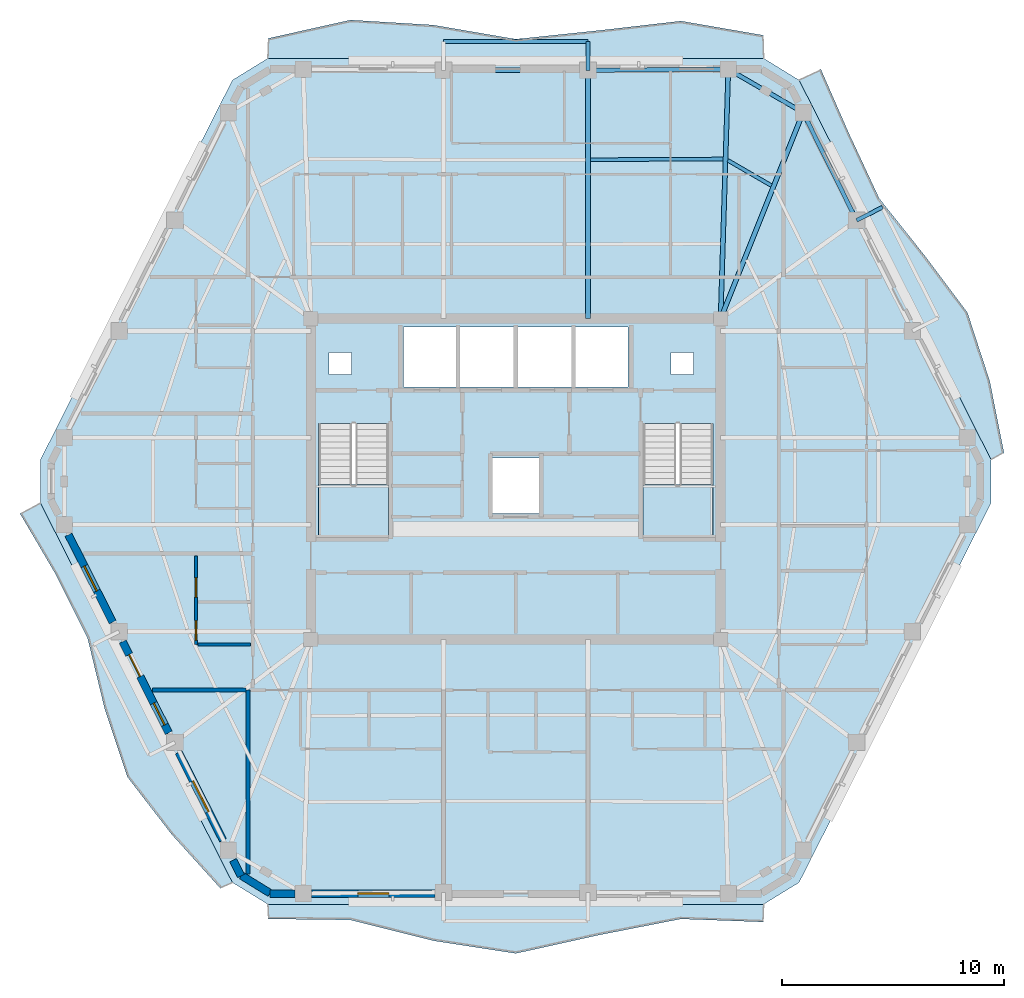
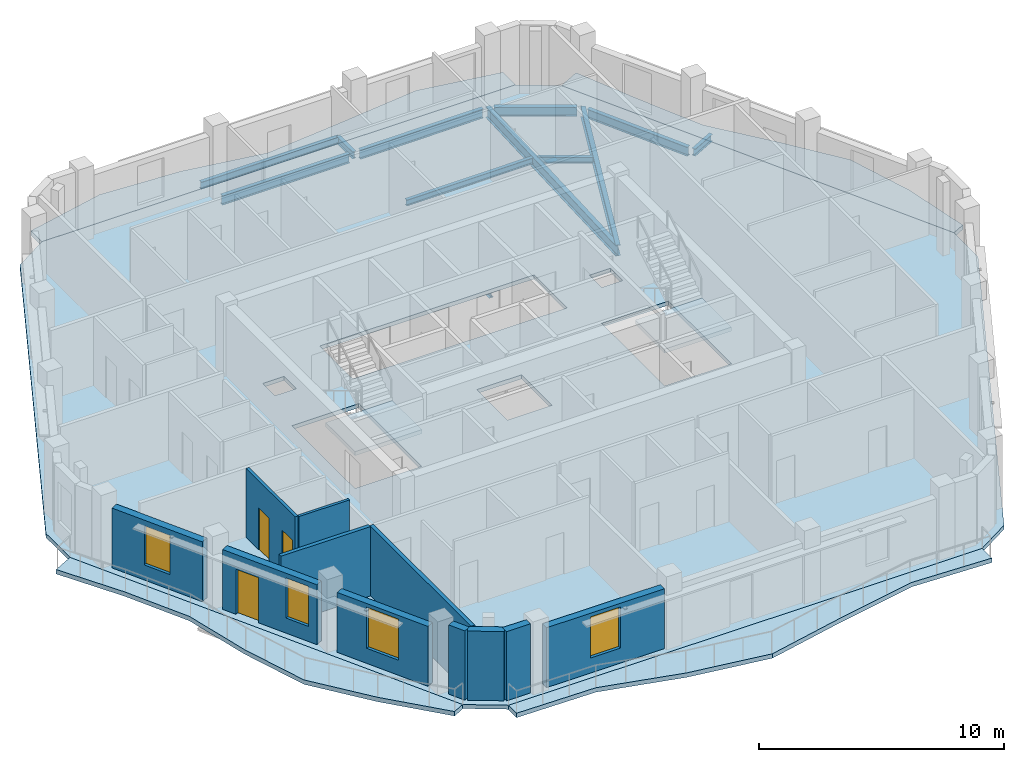
# One storey, part 3 of 11: 12 beams, 11 walls, 7 slabs, 4 windows, 3 doors, 7 openings, 2 elements without a shape of their own.
"""IFC4 building model written with IfcOpenShell, lengths in metres."""

from ifc_helpers import new_model, si_unit, direction, frame, frame_2d, origin, origin_2d, place, context, subcontext, project, spatial, polyline, rectangle, i_section, outline, extrude, material, layer, layer_set, material_profile, profile_set, type_object, element, fill, aggregate, save


model = new_model("IFC4")

# Units and contexts
model_context = context("Model", 3, precision=1e-05, world=origin(), true_north=direction((0.0, 1.0)))
body_context = subcontext(model_context, "Body", "Model", "MODEL_VIEW")
ifc_project = project(units=[si_unit("LENGTHUNIT", "METRE"), si_unit("AREAUNIT", "SQUARE_METRE"), si_unit("VOLUMEUNIT", "CUBIC_METRE"), si_unit("PLANEANGLEUNIT", "RADIAN"), si_unit("MASSUNIT", "GRAM", prefix="KILO")], contexts=[model_context])

# Site, building, storey
site_placement = place(None, origin())
site = spatial("IfcSite", under=ifc_project, at=site_placement, CompositionType="ELEMENT")
building_placement = place(site_placement, origin())
building = spatial("IfcBuilding", under=site, at=building_placement, Name="Cinnabar Lancet Tower", CompositionType="ELEMENT")
storey_placement = place(building_placement, frame((0.0, 0.0, 245.25)))
storey = spatial("IfcBuildingStorey", under=building, at=storey_placement, Name="L65", CompositionType="ELEMENT", Elevation=245.25)

# Beams
ifc_material_1 = material(Name="Structural steel S355", Category="steel")
ifc_material_profile_1 = material_profile(ifc_material_1, i_section(OverallWidth=0.1650390625, OverallDepth=0.303466796875, WebThickness=0.006103515625, FlangeThickness=0.01025390625, FilletRadius=0.0087890625, at=origin_2d()), Name="UKB 305x165x40")
ifc_profile_set_1 = profile_set([ifc_material_profile_1], Name="Structural steel S355")
beam_type_1 = type_object("IfcBeamType", Name="STR-BM-JST-305", PredefinedType="JOIST", material=ifc_profile_set_1)
beam_1_placement = place(storey_placement, frame((43.912109375, 39.1201171875, -0.35205078125), z_axis=(-0.865426285481, 0.501036270542, 0.0), x_axis=(-0.501036270542, -0.865426285481, 0.0)))
element("IfcBeam", 1, at=beam_1_placement, inside=storey, type_object=beam_type_1, Name="L65 Secondary Floor Joist 29", PredefinedType="JOIST", context=body_context, shape_type="SweptSolid", body=[
    extrude(i_section(OverallWidth=0.1650390625, OverallDepth=0.303466796875, WebThickness=0.006103515625, FlangeThickness=0.01025390625, FilletRadius=0.0087890625, at=origin_2d()), origin(), (0.0, 0.0, 1.0), 2.267333984375),
])
beam_2_placement = place(storey_placement, frame((41.741943359375, 40.31494140625, -0.35205078125), z_axis=(-0.999985712428, -0.005345553266, 0.0), x_axis=(0.005345553266, -0.999985712428, 0.0)))
element("IfcBeam", 2, at=beam_2_placement, inside=storey, type_object=beam_type_1, Name="L65 Secondary Floor Joist 30", PredefinedType="JOIST", context=body_context, shape_type="SweptSolid", body=[
    extrude(i_section(OverallWidth=0.1650390625, OverallDepth=0.303466796875, WebThickness=0.006103515625, FlangeThickness=0.01025390625, FilletRadius=0.0087890625, at=origin_2d()), origin(), (0.0, 0.0, 1.0), 5.98291015625),
])
ifc_material_2 = material(Name="Structural steel S355", Category="steel")
ifc_material_profile_2 = material_profile(ifc_material_2, i_section(OverallWidth=0.1904296875, OverallDepth=0.45703125, WebThickness=0.009033203125, FlangeThickness=0.014404296875, FilletRadius=0.01025390625, at=origin_2d()), Name="UKB 457x191x74")
ifc_profile_set_2 = profile_set([ifc_material_profile_2], Name="Structural steel S355")
beam_type_2 = type_object("IfcBeamType", Name="STR-BM-SPN-457", PredefinedType="SPANDREL", material=ifc_profile_set_2)
beam_3_placement = place(storey_placement, frame((47.637939453125, 37.778076171875, -0.427978515625), z_axis=(-0.444372599207, 0.895842058107, 0.0), x_axis=(-0.895842058107, -0.444372599207, 0.0)))
element("IfcBeam", 3, at=beam_3_placement, inside=storey, type_object=beam_type_2, Name="L65 Perimeter Spandrel 11", PredefinedType="SPANDREL", context=body_context, shape_type="SweptSolid", body=[
    extrude(i_section(OverallWidth=0.1904296875, OverallDepth=0.45703125, WebThickness=0.009033203125, FlangeThickness=0.014404296875, FilletRadius=0.01025390625, at=origin_2d()), origin(), (0.0, 0.0, 1.0), 4.91943359375),
])
beam_4_placement = place(storey_placement, frame((45.125, 42.533935546875, -0.427978515625), z_axis=(-0.865199693264, 0.501427453153, 0.0), x_axis=(-0.501427453153, -0.865199693264, 0.0)))
element("IfcBeam", 4, at=beam_4_placement, inside=storey, type_object=beam_type_2, Name="L65 Perimeter Spandrel 12", PredefinedType="SPANDREL", context=body_context, shape_type="SweptSolid", body=[
    extrude(i_section(OverallWidth=0.1904296875, OverallDepth=0.45703125, WebThickness=0.009033203125, FlangeThickness=0.014404296875, FilletRadius=0.01025390625, at=origin_2d()), origin(), (0.0, 0.0, 1.0), 3.39453125),
])
beam_5_placement = place(storey_placement, frame((41.721923828125, 44.35888671875, -0.427978515625), z_axis=(-0.999964782464, -0.008392486634, 0.0), x_axis=(0.008392486634, -0.999964782464, 0.0)))
element("IfcBeam", 5, at=beam_5_placement, inside=storey, type_object=beam_type_2, Name="L65 Perimeter Spandrel 13", PredefinedType="SPANDREL", context=body_context, shape_type="SweptSolid", body=[
    extrude(i_section(OverallWidth=0.1904296875, OverallDepth=0.45703125, WebThickness=0.009033203125, FlangeThickness=0.014404296875, FilletRadius=0.01025390625, at=origin_2d()), origin(), (0.0, 0.0, 1.0), 5.818115234375),
])
beam_6_placement = place(storey_placement, frame((35.404052734375, 44.30810546875, -0.427978515625), z_axis=(-1.0, 0.0, 0.0), x_axis=(0.0, -1.0, 0.0)))
element("IfcBeam", 6, at=beam_6_placement, inside=storey, type_object=beam_type_2, Name="L65 Perimeter Spandrel 14", PredefinedType="SPANDREL", context=body_context, shape_type="SweptSolid", body=[
    extrude(i_section(OverallWidth=0.1904296875, OverallDepth=0.45703125, WebThickness=0.009033203125, FlangeThickness=0.014404296875, FilletRadius=0.01025390625, at=origin_2d()), origin(), (0.0, 0.0, 1.0), 6.008056640625),
])
ifc_material_3 = material(Name="Structural steel S355", Category="steel")
ifc_material_profile_3 = material_profile(ifc_material_3, i_section(OverallWidth=0.209228515625, OverallDepth=0.533203125, WebThickness=0.010009765625, FlangeThickness=0.015625, FilletRadius=0.0126953125, at=origin_2d()), Name="UKB 533x210x92")
ifc_profile_set_3 = profile_set([ifc_material_profile_3], Name="Structural steel S355")
beam_type_3 = type_object("IfcBeamType", Name="STR-BM-UKB533-92", PredefinedType="BEAM", material=ifc_profile_set_3)
beam_7_placement = place(storey_placement, frame((45.341064453125, 42.408935546875, -0.467041015625), z_axis=(-0.371605341166, -0.928390796172, 0.0), x_axis=(0.928390796172, -0.371605341166, 0.0)))
element("IfcBeam", 7, at=beam_7_placement, inside=storey, type_object=beam_type_3, Name="L65 Primary Floor Girder 12", PredefinedType="BEAM", context=body_context, shape_type="SweptSolid", body=[
    extrude(i_section(OverallWidth=0.209228515625, OverallDepth=0.533203125, WebThickness=0.010009765625, FlangeThickness=0.015625, FilletRadius=0.0126953125, at=origin_2d()), origin(), (0.0, 0.0, 1.0), 10.0),
])
beam_8_placement = place(storey_placement, frame((41.971923828125, 44.361083984375, -0.467041015625), z_axis=(-0.030861159652, -0.999523680973, 0.0), x_axis=(0.999523680973, -0.030861159652, 0.0)))
element("IfcBeam", 8, at=beam_8_placement, inside=storey, type_object=beam_type_3, Name="L65 Primary Floor Girder 13", PredefinedType="BEAM", context=body_context, shape_type="SweptSolid", body=[
    extrude(i_section(OverallWidth=0.209228515625, OverallDepth=0.533203125, WebThickness=0.010009765625, FlangeThickness=0.015625, FilletRadius=0.0126953125, at=origin_2d()), origin(), (0.0, 0.0, 1.0), 11.241455078125),
])
beam_9_placement = place(storey_placement, frame((35.654052734375, 44.30810546875, -0.467041015625), z_axis=(0.0, -1.0, 0.0), x_axis=(1.0, 0.0, 0.0)))
element("IfcBeam", 9, at=beam_9_placement, inside=storey, type_object=beam_type_3, Name="L65 Primary Floor Girder 14", PredefinedType="BEAM", context=body_context, shape_type="SweptSolid", body=[
    extrude(i_section(OverallWidth=0.209228515625, OverallDepth=0.533203125, WebThickness=0.010009765625, FlangeThickness=0.015625, FilletRadius=0.0126953125, at=origin_2d()), origin(), (0.0, 0.0, 1.0), 11.18310546875),
])
ifc_material_4 = material(Name="Structural steel S355", Category="steel")
ifc_material_profile_4 = material_profile(ifc_material_4, i_section(OverallWidth=0.17138671875, OverallDepth=0.35498046875, WebThickness=0.00732421875, FlangeThickness=0.011474609375, FilletRadius=0.01025390625, at=origin_2d()), Name="UKB 356x171x51")
ifc_profile_set_4 = profile_set([ifc_material_profile_4], Name="Structural steel S355")
beam_type_4 = type_object("IfcBeamType", Name="STR-BM-WAV-OUT", PredefinedType="BEAM", material=ifc_profile_set_4)
beam_10_placement = place(storey_placement, frame((47.7490234375, 37.553955078125, -0.39794921875), z_axis=(0.892200264127, 0.451639998995, 0.0), x_axis=(-0.451639998995, 0.892200264127, 0.0)))
element("IfcBeam", 10, at=beam_10_placement, inside=storey, type_object=beam_type_4, Name="L65 Face 3 Balcony Outlooker B", PredefinedType="BEAM", context=body_context, shape_type="SweptSolid", body=[
    extrude(i_section(OverallWidth=0.17138671875, OverallDepth=0.35498046875, WebThickness=0.00732421875, FlangeThickness=0.011474609375, FilletRadius=0.01025390625, at=origin_2d()), origin(), (0.0, 0.0, 1.0), 1.300048828125),
])
beam_11_placement = place(storey_placement, frame((35.654052734375, 44.30810546875, -0.39794921875), z_axis=(0.0, 1.0, 0.0), x_axis=(-1.0, 0.0, 0.0)))
element("IfcBeam", 11, at=beam_11_placement, inside=storey, type_object=beam_type_4, Name="L65 Face 4 Balcony Outlooker A", PredefinedType="BEAM", context=body_context, shape_type="SweptSolid", body=[
    extrude(i_section(OverallWidth=0.17138671875, OverallDepth=0.35498046875, WebThickness=0.00732421875, FlangeThickness=0.011474609375, FilletRadius=0.01025390625, at=origin_2d()), origin(), (0.0, 0.0, 1.0), 1.2998046875),
])
ifc_material_5 = material(Name="Structural steel S355", Category="steel")
ifc_material_profile_5 = material_profile(ifc_material_5, i_section(OverallWidth=0.17138671875, OverallDepth=0.35498046875, WebThickness=0.00732421875, FlangeThickness=0.011474609375, FilletRadius=0.01025390625, at=origin_2d()), Name="UKB 356x171x51")
ifc_profile_set_5 = profile_set([ifc_material_profile_5], Name="Structural steel S355")
beam_type_5 = type_object("IfcBeamType", Name="STR-BM-WAV-TRIM", PredefinedType="SPANDREL", material=ifc_profile_set_5)
beam_12_placement = place(storey_placement, frame((35.654052734375, 45.60791015625, -0.39794921875), z_axis=(-1.0, 0.0, 0.0), x_axis=(0.0, -1.0, 0.0)))
element("IfcBeam", 12, at=beam_12_placement, inside=storey, type_object=beam_type_5, Name="L65 Face 4 Balcony Edge Trimmer", PredefinedType="SPANDREL", context=body_context, shape_type="SweptSolid", body=[
    extrude(i_section(OverallWidth=0.17138671875, OverallDepth=0.35498046875, WebThickness=0.00732421875, FlangeThickness=0.011474609375, FilletRadius=0.01025390625, at=origin_2d()), origin(), (0.0, 0.0, 1.0), 6.508056640625),
])

# Stair, slab
ifc_material_6 = material(Name="Concrete C40/50", Category="concrete")
stair_type = type_object("IfcStairType", Name="ST-CORE", PredefinedType="HALF_TURN_STAIR", material=ifc_material_6)
stair_1_placement = place(storey_placement, origin())
stair_1 = element("IfcStair", 13, at=stair_1_placement, inside=storey, type_object=stair_type, Name="L65 ST-1", PredefinedType="HALF_TURN_STAIR")
ifc_material_7 = material(Name="Concrete C40/50", Category="concrete")
ifc_layer_1 = layer(ifc_material_7, 0.199951171875)
ifc_layer_set_1 = layer_set([ifc_layer_1], Name="Concrete C40/50")
slab_type_1 = type_object("IfcSlabType", Name="LANDING-CORE", PredefinedType="LANDING", material=ifc_layer_set_1)
slab_1_placement = place(storey_placement, frame((0.0, 0.0, 1.625)))
slab_1 = element("IfcSlab", 14, at=slab_1_placement, type_object=slab_type_1, Name="ST-1 landing 1", PredefinedType="LANDING", context=body_context, shape_type="SweptSolid", body=[
    extrude(outline(polyline([(23.52490234375, 25.64990234375), (23.52490234375, 23.25), (26.675048828125, 23.25), (26.675048828125, 25.64990234375), (23.52490234375, 25.64990234375)])), origin(), (0.0, 0.0, 1.0), 0.199951171875),
])
aggregate(stair_1, [slab_1])

stair_2_placement = place(storey_placement, origin())
stair_2 = element("IfcStair", 15, at=stair_2_placement, inside=storey, type_object=stair_type, Name="L65 ST-2", PredefinedType="HALF_TURN_STAIR")
slab_2_placement = place(storey_placement, frame((0.0, 0.0, 1.625)))
slab_2 = element("IfcSlab", 16, at=slab_2_placement, type_object=slab_type_1, Name="ST-2 landing 1", PredefinedType="LANDING", context=body_context, shape_type="SweptSolid", body=[
    extrude(outline(polyline([(38.125, 25.64990234375), (38.125, 23.25), (41.27490234375, 23.25), (41.27490234375, 25.64990234375), (38.125, 25.64990234375)])), origin(), (0.0, 0.0, 1.0), 0.199951171875),
])
aggregate(stair_2, [slab_2])

# Slabs
ifc_material_8 = material(Name="Concrete C40/50", Category="concrete")
ifc_layer_2 = layer(ifc_material_8, 0.199951171875)
ifc_layer_set_2 = layer_set([ifc_layer_2], Name="Concrete C40/50")
slab_type_2 = type_object("IfcSlabType", Name="STR-SLB-FLR-200", PredefinedType="FLOOR", material=ifc_layer_set_2)
slab_3_placement = place(storey_placement, frame((0.0, 0.0, -0.199951171875)))
element("IfcSlab", 17, at=slab_3_placement, inside=storey, type_object=slab_type_2, Name="L65 Structural Floor Slab", PredefinedType="FLOOR", context=body_context, shape_type="SweptSolid", body=[
    extrude(outline(polyline([(19.638916015625, 7.73193359375), (21.236083984375, 6.75), (43.56396484375, 6.75), (45.160888671875, 7.73193359375), (53.802978515625, 24.818115234375), (53.802978515625, 26.781982421875), (45.160888671875, 43.867919921875), (43.56396484375, 44.85009765625), (21.236083984375, 44.85009765625), (19.638916015625, 43.867919921875), (10.9970703125, 26.781982421875), (10.9970703125, 24.818115234375), (19.638916015625, 7.73193359375)]), holes=[polyline([(23.52490234375, 23.25), (26.675048828125, 23.25), (26.675048828125, 28.3994140625), (23.52490234375, 28.3994140625), (23.52490234375, 23.25)]), polyline([(38.125, 23.25), (41.27490234375, 23.25), (41.27490234375, 28.3994140625), (38.125, 28.3994140625), (38.125, 23.25)]), polyline([(27.35009765625, 30.050048828125), (37.449951171875, 30.050048828125), (37.449951171875, 32.75), (27.35009765625, 32.75), (27.35009765625, 30.050048828125)]), polyline([(31.35009765625, 24.35009765625), (33.449951171875, 24.35009765625), (33.449951171875, 26.85009765625), (31.35009765625, 26.85009765625), (31.35009765625, 24.35009765625)]), polyline([(24.0, 30.60009765625), (25.0, 30.60009765625), (25.0, 31.60009765625), (24.0, 31.60009765625), (24.0, 30.60009765625)]), polyline([(39.39990234375, 30.60009765625), (40.39990234375, 30.60009765625), (40.39990234375, 31.60009765625), (39.39990234375, 31.60009765625), (39.39990234375, 30.60009765625)])]), origin(), (0.0, 0.0, 1.0), 0.199951171875),
])
ifc_material_9 = material(Name="Concrete C45/55", Category="concrete")
ifc_layer_3 = layer(ifc_material_9, 0.219970703125)
ifc_layer_set_3 = layer_set([ifc_layer_3], Name="Concrete C45/55")
slab_type_3 = type_object("IfcSlabType", Name="STR-SLB-WAV-220", PredefinedType="FLOOR", material=ifc_layer_set_3)
slab_4_placement = place(storey_placement, frame((0.0, 0.0, -0.219970703125)))
element("IfcSlab", 18, at=slab_4_placement, inside=storey, type_object=slab_type_3, Name="L65 Face 1 Undulating Wave Balcony Slab", PredefinedType="FLOOR", context=body_context, shape_type="SweptSolid", body=[
    extrude(outline(polyline([(21.236083984375, 6.75), (21.236083984375, 6.093017578125), (24.95703125, 6.0458984375), (28.678955078125, 5.110107421875), (32.39990234375, 4.535888671875), (36.12109375, 5.360107421875), (39.843017578125, 6.091064453125), (43.56396484375, 5.9541015625), (43.56396484375, 6.75), (21.236083984375, 6.75)])), origin(), (0.0, 0.0, 1.0), 0.219970703125),
])
slab_5_placement = place(storey_placement, frame((0.0, 0.0, -0.219970703125)))
element("IfcSlab", 19, at=slab_5_placement, inside=storey, type_object=slab_type_3, Name="L65 Face 3 Undulating Wave Balcony Slab", PredefinedType="FLOOR", context=body_context, shape_type="SweptSolid", body=[
    extrude(outline(polyline([(53.802978515625, 26.781982421875), (54.388916015625, 27.077880859375), (53.743896484375, 30.327880859375), (52.741943359375, 33.39794921875), (50.797119140625, 35.989990234375), (48.76904296875, 38.5400390625), (47.419921875, 41.43505859375), (46.136962890625, 44.362060546875), (45.160888671875, 43.867919921875), (53.802978515625, 26.781982421875)])), origin(), (0.0, 0.0, 1.0), 0.219970703125),
])
slab_6_placement = place(storey_placement, frame((0.0, 0.0, -0.219970703125)))
element("IfcSlab", 20, at=slab_6_placement, inside=storey, type_object=slab_type_3, Name="L65 Face 4 Undulating Wave Balcony Slab", PredefinedType="FLOOR", context=body_context, shape_type="SweptSolid", body=[
    extrude(outline(polyline([(43.56396484375, 44.85009765625), (43.56396484375, 45.885986328125), (39.843017578125, 46.531005859375), (36.12109375, 46.10205078125), (32.39990234375, 45.712890625), (28.678955078125, 46.35107421875), (24.95703125, 46.575927734375), (21.236083984375, 45.7470703125), (21.236083984375, 44.85009765625), (43.56396484375, 44.85009765625)])), origin(), (0.0, 0.0, 1.0), 0.219970703125),
])
slab_7_placement = place(storey_placement, frame((0.0, 0.0, -0.219970703125)))
element("IfcSlab", 21, at=slab_7_placement, inside=storey, type_object=slab_type_3, Name="L65 Face 6 Undulating Wave Balcony Slab", PredefinedType="FLOOR", context=body_context, shape_type="SweptSolid", body=[
    extrude(outline(polyline([(10.9970703125, 24.818115234375), (10.072998046875, 24.35107421875), (11.69091796875, 21.593017578125), (13.116943359375, 18.738037109375), (13.886962890625, 15.551025390625), (14.905029296875, 12.489990234375), (16.888916015625, 9.9169921875), (19.10498046875, 7.4619140625), (19.638916015625, 7.73193359375), (10.9970703125, 24.818115234375)])), origin(), (0.0, 0.0, 1.0), 0.219970703125),
])

# Walls
ifc_material_10 = material(Name="Fire-rated twin-frame acoustic drywall", Category="gypsum")
ifc_layer_4 = layer(ifc_material_10, 0.179931640625)
ifc_layer_set_4 = layer_set([ifc_layer_4], Name="Fire-rated twin-frame acoustic drywall")
wall_type_1 = type_object("IfcWallType", Name="ARC-WL-PARTY-180", PredefinedType="PARTITIONING", material=ifc_layer_set_4)
wall_1_placement = place(storey_placement, frame((20.35009765625, 8.118896484375, 0.0), z_axis=(0.0, 0.0, 1.0), x_axis=(0.0, 1.0, 0.0)))
element("IfcWall", 22, at=wall_1_placement, inside=storey, type_object=wall_type_1, Name="PW-L65-SPTY-204", PredefinedType="PARTITIONING", context=body_context, shape_type="SweptSolid", body=[
    extrude(rectangle(XDim=8.281005859375, YDim=0.179931640625, at=frame_2d((4.140625, 0.0))), origin(), (0.0, 0.0, 1.0), 3.449951171875),
])
wall_2_placement = place(storey_placement, frame((16.033935546875, 16.39990234375, 0.0), z_axis=(0.0, 0.0, 1.0), x_axis=(1.0, 0.0, 0.0)))
element("IfcWall", 23, at=wall_2_placement, inside=storey, type_object=wall_type_1, Name="PW-L65-WSB", PredefinedType="PARTITIONING", context=body_context, shape_type="SweptSolid", body=[
    extrude(rectangle(XDim=4.220947265625, YDim=0.179931640625, at=frame_2d((2.1103515625, 0.0))), origin(), (0.0, 0.0, 1.0), 3.449951171875),
])
ifc_material_11 = material(Name="Gypsum plasterboard stud partition", Category="gypsum")
ifc_layer_5 = layer(ifc_material_11, 0.125)
ifc_layer_set_5 = layer_set([ifc_layer_5], Name="Gypsum plasterboard stud partition")
wall_type_2 = type_object("IfcWallType", Name="ARC-WL-UNIT-125", PredefinedType="PARTITIONING", material=ifc_layer_set_5)
wall_3_placement = place(storey_placement, frame((18.0849609375, 18.449951171875, 0.0), z_axis=(0.0, 0.0, 1.0), x_axis=(1.0, 0.0, 0.0)))
element("IfcWall", 24, at=wall_3_placement, inside=storey, type_object=wall_type_2, Name="UW-L65-W01-FOYN", PredefinedType="PARTITIONING", context=body_context, shape_type="SweptSolid", body=[
    extrude(rectangle(XDim=2.380126953125, YDim=0.125, at=frame_2d((1.18994140625, 0.0))), origin(), (0.0, 0.0, 1.0), 3.449951171875),
])

# Wall, openings, doors
ifc_material_12 = material(Name="Moisture-resistant cement-board plumbing wall", Category="masonry")
ifc_layer_6 = layer(ifc_material_12, 0.139892578125)
ifc_layer_set_6 = layer_set([ifc_layer_6], Name="Moisture-resistant cement-board plumbing wall")
wall_type_3 = type_object("IfcWallType", Name="ARC-WL-WET-140", PredefinedType="PLUMBINGWALL", material=ifc_layer_set_6)
wall_4_placement = place(storey_placement, frame((18.0, 18.449951171875, 0.0), z_axis=(0.0, 0.0, 1.0), x_axis=(0.0, 1.0, 0.0)))
wall_4 = element("IfcWall", 25, at=wall_4_placement, inside=storey, type_object=wall_type_3, Name="UW-L65-W01-SPL", PredefinedType="PLUMBINGWALL", context=body_context, shape_type="SweptSolid", body=[
    extrude(rectangle(XDim=3.9931640625, YDim=0.139892578125, at=frame_2d((1.99658203125, 0.0))), origin(), (0.0, 0.0, 1.0), 3.449951171875),
])
opening_1_placement = place(wall_4_placement, frame((2.136962890625, 0.0, 0.0)))
opening_1 = element("IfcOpeningElement", 26, at=opening_1_placement, cuts=wall_4, Name="Opening BD-01", PredefinedType="OPENING", context=body_context, shape_type="SweptSolid", body=[
    extrude(rectangle(XDim=0.860107421875, YDim=2.10009765625, at=frame_2d((0.43017578125, 1.050048828125))), frame((0.0, 0.079833984375, 0.0), z_axis=(0.0, -1.0, 0.0), x_axis=(1.0, 0.0, 0.0)), (0.0, 0.0, 1.0), 0.159912109375),
])
opening_2_placement = place(wall_4_placement, frame((0.199951171875, 0.0, 0.0)))
opening_2 = element("IfcOpeningElement", 27, at=opening_2_placement, cuts=wall_4, Name="Opening RD-02", PredefinedType="OPENING", context=body_context, shape_type="SweptSolid", body=[
    extrude(rectangle(XDim=0.8798828125, YDim=2.14990234375, at=frame_2d((0.43994140625, 1.074951171875))), frame((0.0, 0.079833984375, 0.0), z_axis=(0.0, -1.0, 0.0), x_axis=(1.0, 0.0, 0.0)), (0.0, 0.0, 1.0), 0.159912109375),
])
ifc_material_13 = material(Name="Moisture-resistant timber bathroom door", Category="wood")
door_type_1 = type_object("IfcDoorType", Name="ARC-DR-BATH", OperationType="NOTDEFINED", PredefinedType="DOOR", material=ifc_material_13)
door_1_placement = place(opening_1_placement, origin())
door_1 = element("IfcDoor", 28, at=door_1_placement, inside=storey, type_object=door_type_1, Name="DR-L65-W01-BTH", OperationType="SINGLE_SWING_RIGHT", OverallHeight=2.10009765625, OverallWidth=0.860107421875, PredefinedType="DOOR", context=body_context, shape_type="SweptSolid", body=[
    extrude(rectangle(XDim=0.860107421875, YDim=2.10009765625, at=frame_2d((0.43017578125, 1.050048828125))), frame((0.0, 0.02490234375, 0.0), z_axis=(0.0, -1.0, 0.0), x_axis=(1.0, 0.0, 0.0)), (0.0, 0.0, 1.0), 0.050048828125),
])
fill(opening_1, door_1)
ifc_material_14 = material(Name="Engineered timber study door", Category="wood")
door_type_2 = type_object("IfcDoorType", Name="ARC-DR-STUDY", OperationType="NOTDEFINED", PredefinedType="DOOR", material=ifc_material_14)
door_2_placement = place(opening_2_placement, origin())
door_2 = element("IfcDoor", 29, at=door_2_placement, inside=storey, type_object=door_type_2, Name="DR-L65-W01-KIT", OperationType="SINGLE_SWING_LEFT", OverallHeight=2.14990234375, OverallWidth=0.8798828125, PredefinedType="DOOR", context=body_context, shape_type="SweptSolid", body=[
    extrude(rectangle(XDim=0.8798828125, YDim=2.14990234375, at=frame_2d((0.43994140625, 1.074951171875))), frame((0.0, 0.02490234375, 0.0), z_axis=(0.0, -1.0, 0.0), x_axis=(1.0, 0.0, 0.0)), (0.0, 0.0, 1.0), 0.050048828125),
])
fill(opening_2, door_2)

# Walls
ifc_material_15 = material(Name="Cinnabar red clay brick", Category="masonry")
ifc_layer_7 = layer(ifc_material_15, 0.340087890625)
ifc_layer_set_7 = layer_set([ifc_layer_7], Name="Cinnabar red clay brick")
wall_type_4 = type_object("IfcWallType", Name="ENV-WL-BRK-RED-340", PredefinedType="STANDARD", material=ifc_layer_set_7)
wall_5_placement = place(storey_placement, frame((20.047119140625, 8.044921875, 0.0), z_axis=(0.0, 0.0, 1.0), x_axis=(0.851680557619, -0.52406128246, 0.0)))
element("IfcWall", 30, at=wall_5_placement, inside=storey, type_object=wall_type_4, Name="L65 Chamfered Corner Brick Pier 1.1", PredefinedType="STANDARD", context=body_context, shape_type="SweptSolid", body=[
    extrude(rectangle(XDim=1.507568359375, YDim=0.340087890625, at=frame_2d((0.75390625, 0.0))), origin(), (0.0, 0.0, 1.0), 3.449951171875),
])
wall_6_placement = place(storey_placement, frame((21.325927734375, 7.22998046875, 0.0), z_axis=(0.0, 0.0, 1.0), x_axis=(1.0, 0.0, 0.0)))
element("IfcWall", 31, at=wall_6_placement, inside=storey, type_object=wall_type_4, Name="L65 Face 1 Masonry Bay Wall 1", PredefinedType="STANDARD", context=body_context, shape_type="SweptSolid", body=[
    extrude(rectangle(XDim=1.123046875, YDim=0.340087890625, at=frame_2d((0.5615234375, 0.0))), origin(), (0.0, 0.0, 1.0), 3.449951171875),
])

# Wall, opening, window
wall_7_placement = place(storey_placement, frame((23.20703125, 7.22998046875, 0.0), z_axis=(0.0, 0.0, 1.0), x_axis=(1.0, 0.0, 0.0)))
wall_7 = element("IfcWall", 32, at=wall_7_placement, inside=storey, type_object=wall_type_4, Name="L65 Face 1 Masonry Bay Wall 2", PredefinedType="STANDARD", context=body_context, shape_type="SweptSolid", body=[
    extrude(rectangle(XDim=5.56005859375, YDim=0.340087890625, at=frame_2d((2.780029296875, 0.0))), origin(), (0.0, 0.0, 1.0), 2.98291015625),
])
opening_3_placement = place(wall_7_placement, frame((2.080078125, 0.0, 0.75)))
opening_3 = element("IfcOpeningElement", 33, at=opening_3_placement, cuts=wall_7, Name="Opening WN-02", PredefinedType="OPENING", context=body_context, shape_type="SweptSolid", body=[
    extrude(rectangle(XDim=1.39990234375, YDim=2.050048828125, at=frame_2d((0.699951171875, 1.02490234375))), frame((0.0, 0.179931640625, 0.0), z_axis=(0.0, -1.0, 0.0), x_axis=(1.0, 0.0, 0.0)), (0.0, 0.0, 1.0), 0.360107421875),
])
ifc_material_16 = material(Name="Thermally broken bronze-anodized aluminium low-E double glazing", Category="aluminium")
window_type_1 = type_object("IfcWindowType", Name="ENV-WN-LANCET-1400", PartitioningType="SINGLE_PANEL", PredefinedType="WINDOW", material=ifc_material_16)
window_1_placement = place(opening_3_placement, origin())
window_1 = element("IfcWindow", 34, at=window_1_placement, inside=storey, type_object=window_type_1, Name="L65 Face 1 Gothic Lancet Window 2", OverallHeight=2.050048828125, OverallWidth=1.39990234375, PartitioningType="SINGLE_PANEL", PredefinedType="WINDOW", context=body_context, shape_type="SweptSolid", body=[
    extrude(rectangle(XDim=1.39990234375, YDim=2.050048828125, at=frame_2d((0.699951171875, 1.02490234375))), frame((0.0, 0.030029296875, 0.0), z_axis=(0.0, -1.0, 0.0), x_axis=(1.0, 0.0, 0.0)), (0.0, 0.0, 1.0), 0.06005859375),
])
fill(opening_3, window_1)

wall_8_placement = place(storey_placement, frame((12.257080078125, 23.388916015625, 0.0), z_axis=(0.0, 0.0, 1.0), x_axis=(0.45130817501, -0.892368158984, 0.0)))
wall_8 = element("IfcWall", 35, at=wall_8_placement, inside=storey, type_object=wall_type_4, Name="L65 Face 6 Masonry Bay Wall 2", PredefinedType="STANDARD", context=body_context, shape_type="SweptSolid", body=[
    extrude(rectangle(XDim=4.4072265625, YDim=0.340087890625, at=frame_2d((2.20361328125, 0.0))), origin(), (0.0, 0.0, 1.0), 2.98291015625),
])
opening_4_placement = place(wall_8_placement, frame((1.5791015625, 0.0, 0.75)))
opening_4 = element("IfcOpeningElement", 36, at=opening_4_placement, cuts=wall_8, Name="Opening WN-03", PredefinedType="OPENING", context=body_context, shape_type="SweptSolid", body=[
    extrude(rectangle(XDim=1.25, YDim=1.949951171875, at=frame_2d((0.625, 0.97509765625))), frame((0.0, 0.179931640625, 0.0), z_axis=(0.0, -1.0, 0.0), x_axis=(1.0, 0.0, 0.0)), (0.0, 0.0, 1.0), 0.360107421875),
])
ifc_material_17 = material(Name="Thermally broken bronze-anodized aluminium low-E double glazing", Category="aluminium")
window_type_2 = type_object("IfcWindowType", Name="ENV-WN-LANCET-1250", PartitioningType="SINGLE_PANEL", PredefinedType="WINDOW", material=ifc_material_17)
window_2_placement = place(opening_4_placement, origin())
window_2 = element("IfcWindow", 37, at=window_2_placement, inside=storey, type_object=window_type_2, Name="L65 Face 6 Gothic Lancet Window 2", OverallHeight=1.949951171875, OverallWidth=1.25, PartitioningType="SINGLE_PANEL", PredefinedType="WINDOW", context=body_context, shape_type="SweptSolid", body=[
    extrude(rectangle(XDim=1.25, YDim=1.949951171875, at=frame_2d((0.625, 0.97509765625))), frame((0.0, 0.030029296875, 0.0), z_axis=(0.0, -1.0, 0.0), x_axis=(1.0, 0.0, 0.0)), (0.0, 0.0, 1.0), 0.06005859375),
])
fill(opening_4, window_2)

# Wall, openings, door, window
wall_9_placement = place(storey_placement, frame((14.69091796875, 18.576904296875, 0.0), z_axis=(0.0, 0.0, 1.0), x_axis=(0.451581819983, -0.892229712496, 0.0)))
wall_9 = element("IfcWall", 38, at=wall_9_placement, inside=storey, type_object=wall_type_4, Name="L65 Face 6 Masonry Bay Wall 3", PredefinedType="STANDARD", context=body_context, shape_type="SweptSolid", body=[
    extrude(rectangle(XDim=4.599609375, YDim=0.340087890625, at=frame_2d((2.2998046875, 0.0))), origin(), (0.0, 0.0, 1.0), 2.98291015625),
])
opening_5_placement = place(wall_9_placement, frame((0.654052734375, 0.0, 0.0)))
opening_5 = element("IfcOpeningElement", 39, at=opening_5_placement, cuts=wall_9, Name="Opening TD-01", PredefinedType="OPENING", context=body_context, shape_type="SweptSolid", body=[
    extrude(rectangle(XDim=1.10009765625, YDim=2.25, at=frame_2d((0.550048828125, 1.125))), frame((0.0, 0.179931640625, 0.0), z_axis=(0.0, -1.0, 0.0), x_axis=(1.0, 0.0, 0.0)), (0.0, 0.0, 1.0), 0.360107421875),
])
opening_6_placement = place(wall_9_placement, frame((3.10009765625, 0.0, 0.75)))
opening_6 = element("IfcOpeningElement", 40, at=opening_6_placement, cuts=wall_9, Name="Opening WN-04", PredefinedType="OPENING", context=body_context, shape_type="SweptSolid", body=[
    extrude(rectangle(XDim=1.10009765625, YDim=2.0, at=frame_2d((0.550048828125, 1.0))), frame((0.0, 0.179931640625, 0.0), z_axis=(0.0, -1.0, 0.0), x_axis=(1.0, 0.0, 0.0)), (0.0, 0.0, 1.0), 0.360107421875),
])
ifc_material_18 = material(Name="Thermally broken low-E glazed balcony terrace door", Category="wood")
door_type_3 = type_object("IfcDoorType", Name="ARC-DR-BALC", OperationType="NOTDEFINED", PredefinedType="DOOR", material=ifc_material_18)
door_3_placement = place(opening_5_placement, origin())
door_3 = element("IfcDoor", 41, at=door_3_placement, inside=storey, type_object=door_type_3, Name="L65 Face 6 Glazed Terrace Door", OperationType="SINGLE_SWING_RIGHT", OverallHeight=2.25, OverallWidth=1.10009765625, PredefinedType="DOOR", context=body_context, shape_type="SweptSolid", body=[
    extrude(rectangle(XDim=1.10009765625, YDim=2.25, at=frame_2d((0.550048828125, 1.125))), frame((0.0, 0.02490234375, 0.0), z_axis=(0.0, -1.0, 0.0), x_axis=(1.0, 0.0, 0.0)), (0.0, 0.0, 1.0), 0.050048828125),
])
fill(opening_5, door_3)
ifc_material_19 = material(Name="Thermally broken bronze-anodized aluminium tall lancet window", Category="aluminium")
window_type_3 = type_object("IfcWindowType", Name="ENV-WN-LANCET-1100", PartitioningType="SINGLE_PANEL", PredefinedType="WINDOW", material=ifc_material_19)
window_3_placement = place(opening_6_placement, origin())
window_3 = element("IfcWindow", 42, at=window_3_placement, inside=storey, type_object=window_type_3, Name="L65 Split-Bay Gothic Lancet Window 232", OverallHeight=2.0, OverallWidth=1.10009765625, PartitioningType="SINGLE_PANEL", PredefinedType="WINDOW", context=body_context, shape_type="SweptSolid", body=[
    extrude(rectangle(XDim=1.10009765625, YDim=2.0, at=frame_2d((0.550048828125, 1.0))), frame((0.0, 0.030029296875, 0.0), z_axis=(0.0, -1.0, 0.0), x_axis=(1.0, 0.0, 0.0)), (0.0, 0.0, 1.0), 0.06005859375),
])
fill(opening_6, window_3)

# Wall, opening, window
wall_10_placement = place(storey_placement, frame((17.214111328125, 13.590087890625, 0.0), z_axis=(0.0, 0.0, 1.0), x_axis=(0.451440846853, -0.892301048858, 0.0)))
wall_10 = element("IfcWall", 43, at=wall_10_placement, inside=storey, type_object=wall_type_4, Name="L65 Face 6 Masonry Bay Wall 4", PredefinedType="STANDARD", context=body_context, shape_type="SweptSolid", body=[
    extrude(rectangle(XDim=4.43017578125, YDim=0.340087890625, at=frame_2d((2.215087890625, 0.0))), origin(), (0.0, 0.0, 1.0), 2.98291015625),
])
opening_7_placement = place(wall_10_placement, frame((1.43994140625, 0.0, 0.75)))
opening_7 = element("IfcOpeningElement", 44, at=opening_7_placement, cuts=wall_10, Name="Opening WN-01", PredefinedType="OPENING", context=body_context, shape_type="SweptSolid", body=[
    extrude(rectangle(XDim=1.550048828125, YDim=2.050048828125, at=frame_2d((0.77490234375, 1.02490234375))), frame((0.0, 0.179931640625, 0.0), z_axis=(0.0, -1.0, 0.0), x_axis=(1.0, 0.0, 0.0)), (0.0, 0.0, 1.0), 0.360107421875),
])
ifc_material_20 = material(Name="Thermally broken bronze-anodized aluminium low-E double glazing", Category="aluminium")
window_type_4 = type_object("IfcWindowType", Name="ENV-WN-LANCET-1550", PartitioningType="SINGLE_PANEL", PredefinedType="WINDOW", material=ifc_material_20)
window_4_placement = place(opening_7_placement, origin())
window_4 = element("IfcWindow", 45, at=window_4_placement, inside=storey, type_object=window_type_4, Name="L65 Face 6 Gothic Lancet Window 4", OverallHeight=2.050048828125, OverallWidth=1.550048828125, PartitioningType="SINGLE_PANEL", PredefinedType="WINDOW", context=body_context, shape_type="SweptSolid", body=[
    extrude(rectangle(XDim=1.550048828125, YDim=2.050048828125, at=frame_2d((0.77490234375, 1.02490234375))), frame((0.0, 0.030029296875, 0.0), z_axis=(0.0, -1.0, 0.0), x_axis=(1.0, 0.0, 0.0)), (0.0, 0.0, 1.0), 0.06005859375),
])
fill(opening_7, window_4)

# Wall
wall_11_placement = place(storey_placement, frame((19.669921875, 8.735107421875, 0.0), z_axis=(0.0, 0.0, 1.0), x_axis=(0.451404919072, -0.89231922485, 0.0)))
element("IfcWall", 46, at=wall_11_placement, inside=storey, type_object=wall_type_4, Name="L65 Face 6 Masonry Bay Wall 5", PredefinedType="STANDARD", context=body_context, shape_type="SweptSolid", body=[
    extrude(rectangle(XDim=0.791259765625, YDim=0.340087890625, at=frame_2d((0.3955078125, 0.0))), origin(), (0.0, 0.0, 1.0), 3.449951171875),
])

save(model, "model.ifc")
